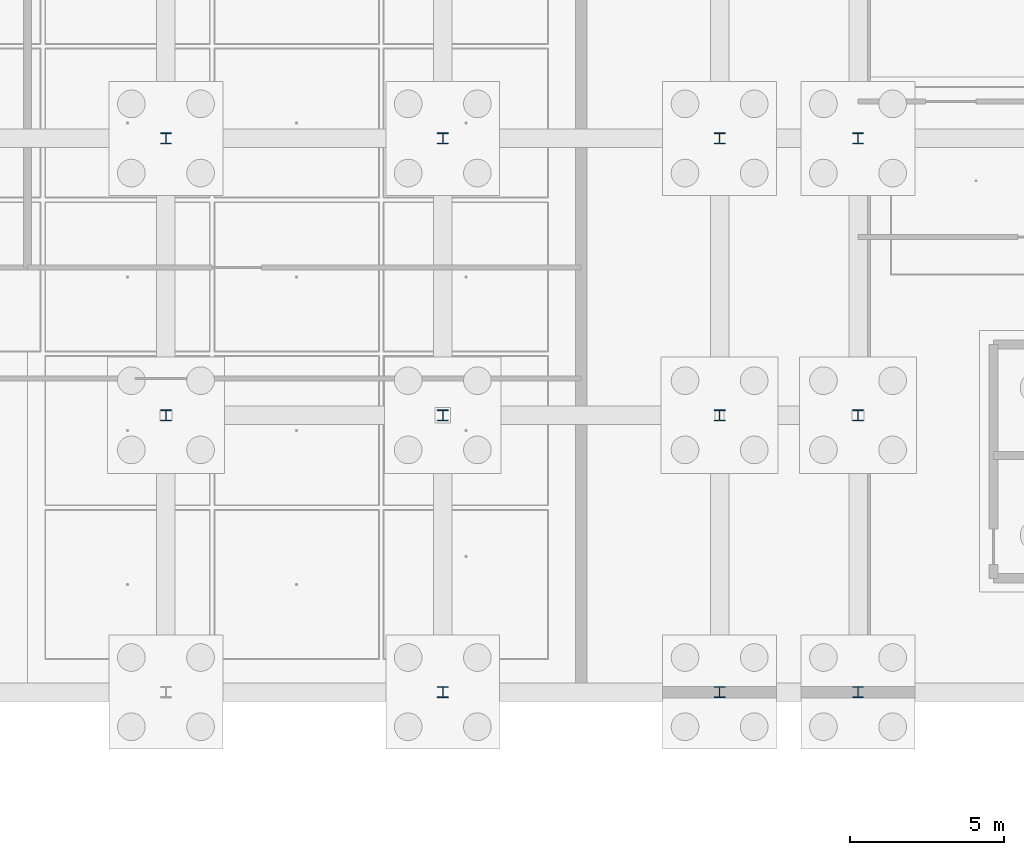
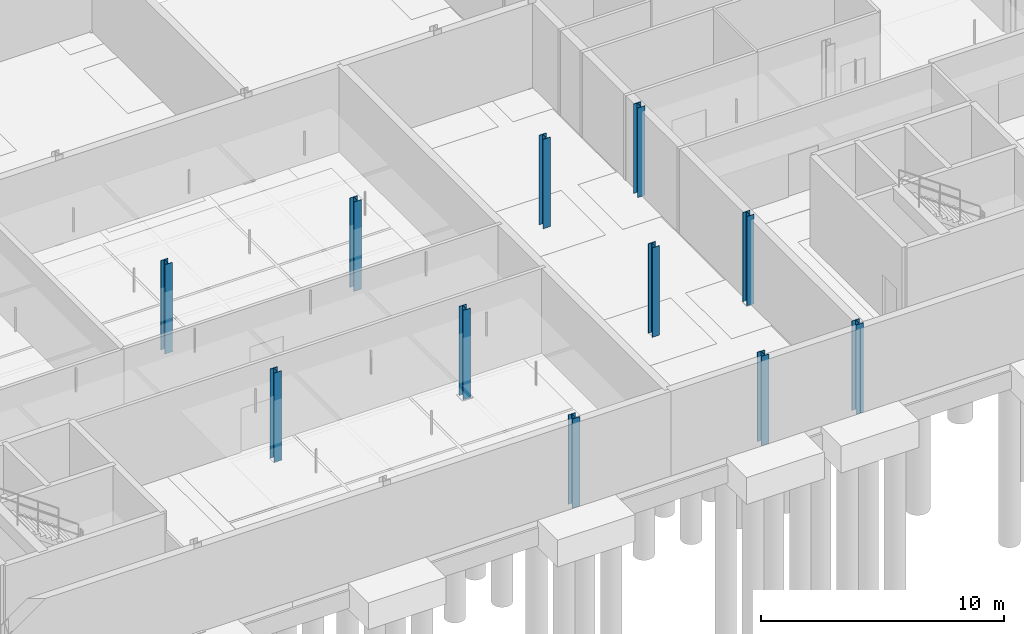
# One storey, part 12 of 48: 11 columns.
"""IFC4 building model written with IfcOpenShell, lengths in metres."""

from ifc_helpers import new_model, si_unit, direction, frame, origin, origin_2d, place, context, subcontext, project, spatial, i_section, extrude, material, material_profile, profile_set, type_object, element, save


model = new_model("IFC4")

# Units and contexts
model_context = context("Model", 3, precision=1e-05, world=origin(), true_north=direction((0.0, 1.0)))
body_context = subcontext(model_context, "Body", "Model", "MODEL_VIEW")
ifc_project = project(units=[si_unit("LENGTHUNIT", "METRE"), si_unit("AREAUNIT", "SQUARE_METRE"), si_unit("VOLUMEUNIT", "CUBIC_METRE"), si_unit("PLANEANGLEUNIT", "RADIAN"), si_unit("MASSUNIT", "GRAM", prefix="KILO"), si_unit("THERMODYNAMICTEMPERATUREUNIT", "KELVIN"), si_unit("POWERUNIT", "WATT")], contexts=[model_context])

# Site, building, storey
site_placement = place(None, origin())
site = spatial("IfcSite", under=ifc_project, at=site_placement, CompositionType="ELEMENT")
building_placement = place(site_placement, origin())
building = spatial("IfcBuilding", under=site, at=building_placement, Name="Tallowbark Science Centre", CompositionType="ELEMENT")
storey_placement = place(building_placement, frame((0.0, 0.0, -4.5)))
storey = spatial("IfcBuildingStorey", under=building, at=storey_placement, Name="B1", CompositionType="ELEMENT", Elevation=-4.5)

# Columns
ifc_material = material(Name="Structural Steel Grade 300PLUS (300 MPa)", Category="steel")
ifc_material_profile = material_profile(ifc_material, i_section(OverallWidth=0.35009765625, OverallDepth=0.35888671875, WebThickness=0.01611328125, FlangeThickness=0.02392578125, FilletRadius=0.013916015625, at=origin_2d()), Name="350WC197")
ifc_profile_set = profile_set([ifc_material_profile], Name="Structural Steel Grade 300PLUS (300 MPa)")
column_type = type_object("IfcColumnType", Name="COL-WC350", PredefinedType="COLUMN", material=ifc_profile_set)
for number, where, z_axis, x_axis, name in (
    (1, (90.0, 81.0, 0.0), (0.0, 0.0, 1.0), (1.0, 0.0, 0.0), "Column LAB-5_1 B1"),
    (2, (90.0, 90.0, 0.0), (0.0, 0.0, 1.0), (1.0, 0.0, 0.0), "Column LAB-5_2 B1"),
    (3, (99.0, 72.0, 0.0), (0.0, 0.0, 1.0), (1.0, 0.0, 0.0), "Column LAB-6_0 B1"),
    (4, (99.0, 81.0, 0.0), (0.0, 0.0, 1.0), (1.0, 0.0, 0.0), "Column LAB-6_1 B1"),
    (5, (99.0, 90.0, 0.0), (0.0, 0.0, 1.0), (1.0, 0.0, 0.0), "Column LAB-6_2 B1"),
    (6, (108.0, 72.0, 0.0), (0.0, 0.0, 1.0), (1.0, 0.0, 0.0), "Column LAB-7_0 B1"),
    (7, (108.0, 81.0, 0.0), (0.0, 0.0, 1.0), (1.0, 0.0, 0.0), "Column LAB-7_1 B1"),
    (8, (108.0, 90.0, 0.0), (0.0, 0.0, 1.0), (1.0, 0.0, 0.0), "Column LAB-7_2 B1"),
    (9, (112.5, 72.0, 0.0), (0.0, 0.0, 1.0), (1.0, 0.0, 0.0), "Column LAB-8_0 B1"),
    (10, (112.5, 81.0, 0.0), (0.0, 0.0, 1.0), (1.0, 0.0, 0.0), "Column LAB-8_1 B1"),
    (11, (112.5, 90.0, 0.0), (0.0, 0.0, 1.0), (1.0, 0.0, 0.0), "Column LAB-8_2 B1"),
):
    element("IfcColumn", number, at=place(storey_placement, frame(where, z_axis=z_axis, x_axis=x_axis)), inside=storey, type_object=column_type, Name=name, PredefinedType="COLUMN", context=body_context, shape_type="SweptSolid", body=[
        extrude(i_section(OverallWidth=0.35009765625, OverallDepth=0.35888671875, WebThickness=0.01611328125, FlangeThickness=0.02392578125, FilletRadius=0.013916015625, at=origin_2d()), origin(), (0.0, 0.0, 1.0), 4.5),
    ])

save(model, "model.ifc")
